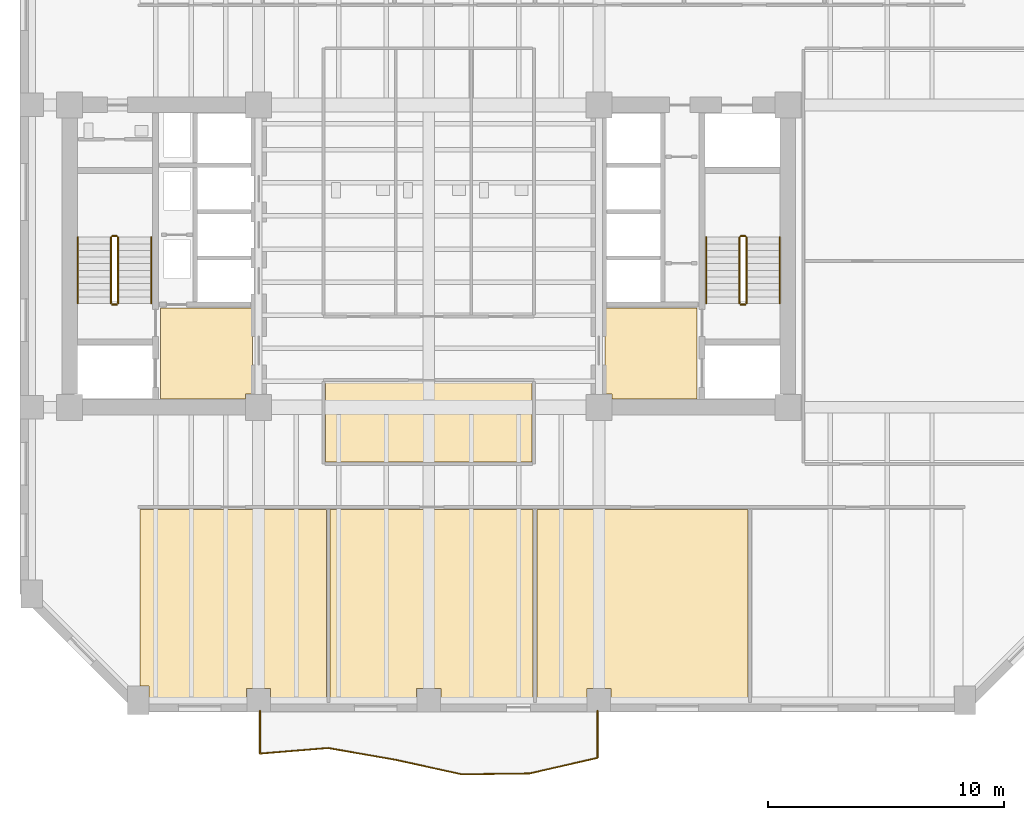
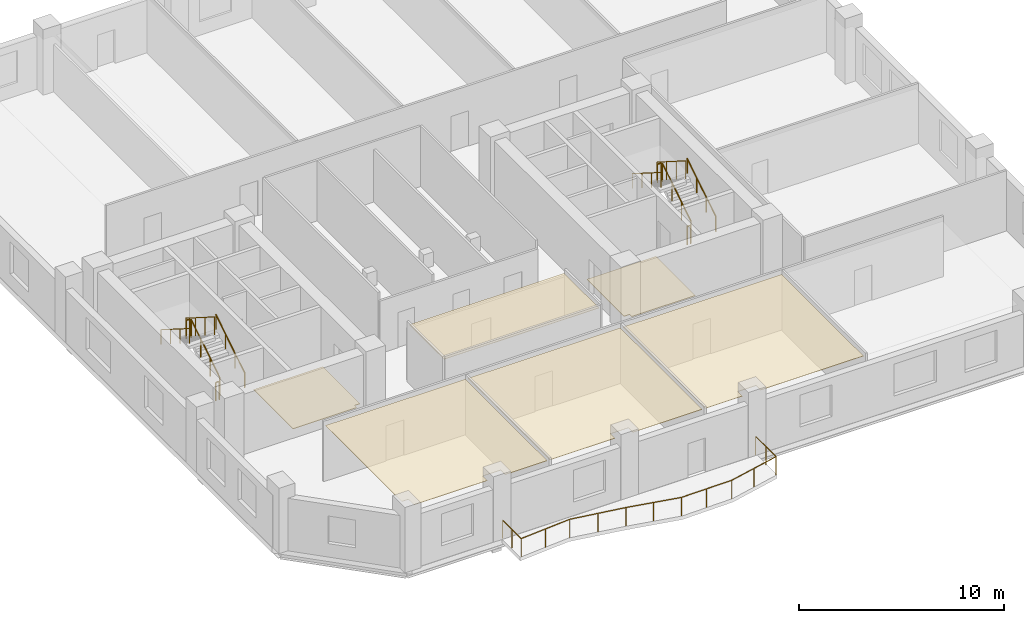
# One storey, part 6 of 8: 13 railings, 6 coverings.
"""IFC4 building model written with IfcOpenShell, lengths in metres."""

from ifc_helpers import new_model, si_unit, direction, frame, origin, origin_2d, place, context, subcontext, project, spatial, polyline, circle, outline, extrude, material, layer, layer_set, type_object, element, save


model = new_model("IFC4")

# Units and contexts
model_context = context("Model", 3, precision=1e-05, world=origin(), true_north=direction((0.0, 1.0)))
body_context = subcontext(model_context, "Body", "Model", "MODEL_VIEW")
ifc_project = project(units=[si_unit("LENGTHUNIT", "METRE"), si_unit("AREAUNIT", "SQUARE_METRE"), si_unit("VOLUMEUNIT", "CUBIC_METRE"), si_unit("PLANEANGLEUNIT", "RADIAN"), si_unit("MASSUNIT", "GRAM", prefix="KILO")], contexts=[model_context])

# Site, building, storey
site_placement = place(None, origin())
site = spatial("IfcSite", under=ifc_project, at=site_placement, CompositionType="ELEMENT")
building_placement = place(site_placement, origin())
building = spatial("IfcBuilding", under=site, at=building_placement, Name="Kranthara Brick Stack", CompositionType="ELEMENT")
storey_placement = place(building_placement, frame((0.0, 0.0, 82.800048828125)))
storey = spatial("IfcBuildingStorey", under=building, at=storey_placement, Name="L20", CompositionType="ELEMENT", Elevation=82.800048828125)

# Coverings
ifc_material_1 = material(Name="Perforated mineral-fibre acoustic ceiling tile", Category="other")
ifc_layer_1 = layer(ifc_material_1, 0.02490234375)
ifc_layer_set_1 = layer_set([ifc_layer_1], Name="Perforated mineral-fibre acoustic ceiling tile")
covering_type_1 = type_object("IfcCoveringType", Name="COV-CEIL-ACOUSTIC", PredefinedType="CEILING", material=ifc_layer_set_1)
covering_1_placement = place(storey_placement, frame((0.0, 0.0, 3.329833984375)))
element("IfcCovering", 1, at=covering_1_placement, inside=storey, type_object=covering_type_1, Name="L20 L20 Central Executive Briefing Room Acoustic Ceiling", PredefinedType="CEILING", context=body_context, shape_type="SweptSolid", body=[
    extrude(outline(polyline([(32.3701171875, 18.47998046875), (32.3701171875, 21.8798828125), (23.6298828125, 21.8798828125), (23.6298828125, 18.47998046875), (32.3701171875, 18.47998046875)])), origin(), (0.0, 0.0, 1.0), 0.025146484375),
])
covering_2_placement = place(storey_placement, frame((0.0, 0.0, 3.329833984375)))
element("IfcCovering", 2, at=covering_2_placement, inside=storey, type_object=covering_type_1, Name="L20 L20 Meeting Room 1 Acoustic Ceiling", PredefinedType="CEILING", context=body_context, shape_type="SweptSolid", body=[
    extrude(outline(polyline([(23.669921875, 16.47998046875), (23.669921875, 8.469970703125), (21.31005859375, 8.469970703125), (21.31005859375, 8.909912109375), (20.2900390625, 8.909912109375), (20.2900390625, 8.469970703125), (16.159912109375, 8.469970703125), (16.159912109375, 9.010009765625), (15.780029296875, 9.010009765625), (15.780029296875, 16.47998046875), (23.669921875, 16.47998046875)])), origin(), (0.0, 0.0, 1.0), 0.025146484375),
])
covering_3_placement = place(storey_placement, frame((0.0, 0.0, 3.329833984375)))
element("IfcCovering", 3, at=covering_3_placement, inside=storey, type_object=covering_type_1, Name="L20 L20 Meeting Room 2 Acoustic Ceiling", PredefinedType="CEILING", context=body_context, shape_type="SweptSolid", body=[
    extrude(outline(polyline([(23.830078125, 8.469970703125), (23.830078125, 16.47998046875), (32.419921875, 16.47998046875), (32.419921875, 8.469970703125), (28.510009765625, 8.469970703125), (28.510009765625, 8.909912109375), (27.489990234375, 8.909912109375), (27.489990234375, 8.469970703125), (23.830078125, 8.469970703125)])), origin(), (0.0, 0.0, 1.0), 0.025146484375),
])
covering_4_placement = place(storey_placement, frame((0.0, 0.0, 3.329833984375)))
element("IfcCovering", 4, at=covering_4_placement, inside=storey, type_object=covering_type_1, Name="L20 L20 Boardroom 3 Acoustic Ceiling", PredefinedType="CEILING", context=body_context, shape_type="SweptSolid", body=[
    extrude(outline(polyline([(32.580078125, 8.469970703125), (32.580078125, 16.47998046875), (41.52001953125, 16.47998046875), (41.52001953125, 8.469970703125), (35.7099609375, 8.469970703125), (35.7099609375, 8.909912109375), (34.68994140625, 8.909912109375), (34.68994140625, 8.469970703125), (32.580078125, 8.469970703125)])), origin(), (0.0, 0.0, 1.0), 0.025146484375),
])
ifc_material_2 = material(Name="Honed terrazzo and porcelain floor finish", Category="stone")
ifc_layer_2 = layer(ifc_material_2, 0.030029296875)
ifc_layer_set_2 = layer_set([ifc_layer_2], Name="Honed terrazzo and porcelain floor finish")
covering_type_2 = type_object("IfcCoveringType", Name="COV-FLOR-STONE", PredefinedType="FLOORING", material=ifc_layer_set_2)
covering_5_placement = place(storey_placement, origin())
element("IfcCovering", 5, at=covering_5_placement, inside=storey, type_object=covering_type_2, Name="L20 Lift Lobby Stone Flooring", PredefinedType="FLOORING", context=body_context, shape_type="SweptSolid", body=[
    extrude(outline(polyline([(16.64990234375, 21.14990234375), (16.64990234375, 25.0), (20.550048828125, 25.0), (20.550048828125, 21.360107421875), (20.239990234375, 21.360107421875), (20.239990234375, 21.14990234375), (16.64990234375, 21.14990234375)])), origin(), (0.0, 0.0, 1.0), 0.030029296875),
])
covering_6_placement = place(storey_placement, origin())
element("IfcCovering", 6, at=covering_6_placement, inside=storey, type_object=covering_type_2, Name="L20 Lift Lobby Stone Flooring", PredefinedType="FLOORING", context=body_context, shape_type="SweptSolid", body=[
    extrude(outline(polyline([(35.449951171875, 25.0), (39.35009765625, 25.0), (39.35009765625, 21.14990234375), (35.760009765625, 21.14990234375), (35.760009765625, 21.360107421875), (35.449951171875, 21.360107421875), (35.449951171875, 25.0)])), origin(), (0.0, 0.0, 1.0), 0.030029296875),
])

# Railings
ifc_material_3 = material(Name="Bronze anodised aluminium and laminated glass balustrade", Category="aluminium")
railing_type_1 = type_object("IfcRailingType", Name="RL-BALC-1120", PredefinedType="BALUSTRADE", material=ifc_material_3)
railing_1_placement = place(storey_placement, frame((35.139892578125, 7.9599609375, 0.0)))
element("IfcRailing", 7, at=railing_1_placement, inside=storey, type_object=railing_type_1, Name="L20 South Rippling Balcony Balustrade", PredefinedType="BALUSTRADE", context=body_context, shape_type="SweptSolid", body=[
    extrude(circle(Radius=0.02392578125, at=origin_2d()), frame((0.0, 0.0, 1.09619140625), z_axis=(0.000122159784, -0.999999992538, 0.0), x_axis=(0.999999992538, 0.000122159784, 0.0)), (0.0, 0.0, 1.0), 1.99853515625),
    extrude(circle(Radius=0.02392578125, at=origin_2d()), frame((0.000244140625, -1.99853515625, 1.09619140625), z_axis=(-0.974766060219, -0.223228868753, 0.0), x_axis=(0.223228868753, -0.974766060219, 0.0)), (0.0, 0.0, 1.0), 2.952880859375),
    extrude(circle(Radius=0.02392578125, at=origin_2d()), frame((-2.878173828125, -2.65771484375, 1.09619140625), z_axis=(-0.999923904502, -0.012336336778, 0.0), x_axis=(0.012336336778, -0.999923904502, 0.0)), (0.0, 0.0, 1.0), 2.86962890625),
    extrude(circle(Radius=0.02392578125, at=origin_2d()), frame((-5.74755859375, -2.693115234375, 1.09619140625), z_axis=(-0.976733809286, 0.214455276916, 0.0), x_axis=(-0.214455276916, -0.976733809286, 0.0)), (0.0, 0.0, 1.0), 2.841552734375),
    extrude(circle(Radius=0.02392578125, at=origin_2d()), frame((-8.52294921875, -2.083740234375, 1.09619140625), z_axis=(-0.985004908418, 0.172526317971, 0.0), x_axis=(-0.172526317971, -0.985004908418, 0.0)), (0.0, 0.0, 1.0), 2.920654296875),
    extrude(circle(Radius=0.02392578125, at=origin_2d()), frame((-11.39990234375, -1.579833984375, 1.09619140625), z_axis=(-0.99664984819, -0.08178679663, 0.0), x_axis=(0.08178679663, -0.99664984819, 0.0)), (0.0, 0.0, 1.0), 2.8896484375),
    extrude(circle(Radius=0.02392578125, at=origin_2d()), frame((-14.27978515625, -1.816162109375, 1.09619140625), z_axis=(0.0, 1.0, 0.0), x_axis=(-1.0, 0.0, 0.0)), (0.0, 0.0, 1.0), 1.816162109375),
    extrude(circle(Radius=0.02099609375, at=origin_2d()), origin(), (0.0, 0.0, 1.0), 1.072021484375),
    extrude(circle(Radius=0.02099609375, at=origin_2d()), frame((0.0, -0.999267578125, 0.0)), (0.0, 0.0, 1.0), 1.072021484375),
    extrude(circle(Radius=0.02099609375, at=origin_2d()), frame((0.000244140625, -1.99853515625, 0.0)), (0.0, 0.0, 1.0), 1.072021484375),
    extrude(circle(Radius=0.02099609375, at=origin_2d()), frame((-1.43896484375, -2.328125, 0.0)), (0.0, 0.0, 1.0), 1.072021484375),
    extrude(circle(Radius=0.02099609375, at=origin_2d()), frame((-2.878173828125, -2.65771484375, 0.0)), (0.0, 0.0, 1.0), 1.072021484375),
    extrude(circle(Radius=0.02099609375, at=origin_2d()), frame((-4.31298828125, -2.67529296875, 0.0)), (0.0, 0.0, 1.0), 1.072021484375),
    extrude(circle(Radius=0.02099609375, at=origin_2d()), frame((-5.74755859375, -2.693115234375, 0.0)), (0.0, 0.0, 1.0), 1.072021484375),
    extrude(circle(Radius=0.02099609375, at=origin_2d()), frame((-7.13525390625, -2.388427734375, 0.0)), (0.0, 0.0, 1.0), 1.072021484375),
    extrude(circle(Radius=0.02099609375, at=origin_2d()), frame((-8.52294921875, -2.083740234375, 0.0)), (0.0, 0.0, 1.0), 1.072021484375),
    extrude(circle(Radius=0.02099609375, at=origin_2d()), frame((-9.96142578125, -1.831787109375, 0.0)), (0.0, 0.0, 1.0), 1.072021484375),
    extrude(circle(Radius=0.02099609375, at=origin_2d()), frame((-11.39990234375, -1.579833984375, 0.0)), (0.0, 0.0, 1.0), 1.072021484375),
    extrude(circle(Radius=0.02099609375, at=origin_2d()), frame((-12.83984375, -1.697998046875, 0.0)), (0.0, 0.0, 1.0), 1.072021484375),
    extrude(circle(Radius=0.02099609375, at=origin_2d()), frame((-14.27978515625, -1.816162109375, 0.0)), (0.0, 0.0, 1.0), 1.072021484375),
    extrude(circle(Radius=0.02099609375, at=origin_2d()), frame((-14.27978515625, -0.908203125, 0.0)), (0.0, 0.0, 1.0), 1.072021484375),
    extrude(circle(Radius=0.02099609375, at=origin_2d()), frame((-14.27978515625, 0.0, 0.0)), (0.0, 0.0, 1.0), 1.072021484375),
])
ifc_material_4 = material(Name="Painted galvanized steel stair guardrail", Category="steel")
railing_type_2 = type_object("IfcRailingType", Name="RL-STAIR-GUARD-1100", PredefinedType="GUARDRAIL", material=ifc_material_4)
railing_2_placement = place(storey_placement, frame((14.85009765625, 25.199951171875, 0.17724609375)))
element("IfcRailing", 8, at=railing_2_placement, inside=storey, type_object=railing_type_2, Name="L20 ST01 stair guard 1", PredefinedType="GUARDRAIL", context=body_context, shape_type="SweptSolid", body=[
    extrude(circle(Radius=0.02392578125, at=origin_2d()), frame((0.0, 0.0, 1.076171875), z_axis=(0.0, 0.844908973607, 0.534910110503), x_axis=(-1.0, 0.0, 0.0)), (0.0, 0.0, 1.0), 3.31396484375),
    extrude(circle(Radius=0.02099609375, at=origin_2d()), origin(), (0.0, 0.0, 1.0), 1.052001953125),
    extrude(circle(Radius=0.02099609375, at=origin_2d()), frame((0.0, 0.933349609375, 0.5908203125)), (0.0, 0.0, 1.0), 1.052001953125),
    extrude(circle(Radius=0.02099609375, at=origin_2d()), frame((0.0, 1.86669921875, 1.181884765625)), (0.0, 0.0, 1.0), 1.052001953125),
    extrude(circle(Radius=0.02099609375, at=origin_2d()), frame((0.0, 2.800048828125, 1.772705078125)), (0.0, 0.0, 1.0), 1.052001953125),
])
railing_3_placement = place(storey_placement, frame((14.800048828125, 28.050048828125, 1.949951171875)))
element("IfcRailing", 9, at=railing_3_placement, inside=storey, type_object=railing_type_2, Name="L20 ST01 stair guard 2", PredefinedType="GUARDRAIL", context=body_context, shape_type="SweptSolid", body=[
    extrude(circle(Radius=0.02392578125, at=origin_2d()), frame((0.0, 0.0, 1.076171875), z_axis=(-1.0, 0.0, 0.0), x_axis=(0.0, -1.0, 0.0)), (0.0, 0.0, 1.0), 0.199951171875),
    extrude(circle(Radius=0.02099609375, at=origin_2d()), origin(), (0.0, 0.0, 1.0), 1.052001953125),
    extrude(circle(Radius=0.02099609375, at=origin_2d()), frame((-0.199951171875, 0.0, 0.0)), (0.0, 0.0, 1.0), 1.052001953125),
])
railing_4_placement = place(storey_placement, frame((14.550048828125, 28.0, 2.127197265625)))
element("IfcRailing", 10, at=railing_4_placement, inside=storey, type_object=railing_type_2, Name="L20 ST01 stair guard 3", PredefinedType="GUARDRAIL", context=body_context, shape_type="SweptSolid", body=[
    extrude(circle(Radius=0.02392578125, at=origin_2d()), frame((0.0, 0.0, 1.076171875), z_axis=(0.0, -0.844908973607, 0.534910110503), x_axis=(1.0, 0.0, 0.0)), (0.0, 0.0, 1.0), 3.31396484375),
    extrude(circle(Radius=0.02099609375, at=origin_2d()), origin(), (0.0, 0.0, 1.0), 1.052001953125),
    extrude(circle(Radius=0.02099609375, at=origin_2d()), frame((0.0, -0.933349609375, 0.5908203125)), (0.0, 0.0, 1.0), 1.052001953125),
    extrude(circle(Radius=0.02099609375, at=origin_2d()), frame((0.0, -1.86669921875, 1.181884765625)), (0.0, 0.0, 1.0), 1.052001953125),
    extrude(circle(Radius=0.02099609375, at=origin_2d()), frame((0.0, -2.800048828125, 1.772705078125)), (0.0, 0.0, 1.0), 1.052001953125),
])
railing_5_placement = place(storey_placement, frame((14.800048828125, 25.14990234375, 0.0)))
element("IfcRailing", 11, at=railing_5_placement, inside=storey, type_object=railing_type_2, Name="L20 ST01 stair guard 4", PredefinedType="GUARDRAIL", context=body_context, shape_type="SweptSolid", body=[
    extrude(circle(Radius=0.02392578125, at=origin_2d()), frame((0.0, 0.0, 1.076171875), z_axis=(-1.0, 0.0, 0.0), x_axis=(0.0, -1.0, 0.0)), (0.0, 0.0, 1.0), 0.199951171875),
    extrude(circle(Radius=0.02099609375, at=origin_2d()), origin(), (0.0, 0.0, 1.0), 1.052001953125),
    extrude(circle(Radius=0.02099609375, at=origin_2d()), frame((-0.199951171875, 0.0, 0.0)), (0.0, 0.0, 1.0), 1.052001953125),
])
railing_6_placement = place(storey_placement, frame((41.449951171875, 25.199951171875, 0.17724609375)))
element("IfcRailing", 12, at=railing_6_placement, inside=storey, type_object=railing_type_2, Name="L20 ST02 stair guard 1", PredefinedType="GUARDRAIL", context=body_context, shape_type="SweptSolid", body=[
    extrude(circle(Radius=0.02392578125, at=origin_2d()), frame((0.0, 0.0, 1.076171875), z_axis=(0.0, 0.844908973607, 0.534910110503), x_axis=(-1.0, 0.0, 0.0)), (0.0, 0.0, 1.0), 3.31396484375),
    extrude(circle(Radius=0.02099609375, at=origin_2d()), origin(), (0.0, 0.0, 1.0), 1.052001953125),
    extrude(circle(Radius=0.02099609375, at=origin_2d()), frame((0.0, 0.933349609375, 0.5908203125)), (0.0, 0.0, 1.0), 1.052001953125),
    extrude(circle(Radius=0.02099609375, at=origin_2d()), frame((0.0, 1.86669921875, 1.181884765625)), (0.0, 0.0, 1.0), 1.052001953125),
    extrude(circle(Radius=0.02099609375, at=origin_2d()), frame((0.0, 2.800048828125, 1.772705078125)), (0.0, 0.0, 1.0), 1.052001953125),
])
railing_7_placement = place(storey_placement, frame((41.39990234375, 28.050048828125, 1.949951171875)))
element("IfcRailing", 13, at=railing_7_placement, inside=storey, type_object=railing_type_2, Name="L20 ST02 stair guard 2", PredefinedType="GUARDRAIL", context=body_context, shape_type="SweptSolid", body=[
    extrude(circle(Radius=0.02392578125, at=origin_2d()), frame((0.0, 0.0, 1.076171875), z_axis=(-1.0, 0.0, 0.0), x_axis=(0.0, -1.0, 0.0)), (0.0, 0.0, 1.0), 0.199951171875),
    extrude(circle(Radius=0.02099609375, at=origin_2d()), origin(), (0.0, 0.0, 1.0), 1.052001953125),
    extrude(circle(Radius=0.02099609375, at=origin_2d()), frame((-0.199951171875, 0.0, 0.0)), (0.0, 0.0, 1.0), 1.052001953125),
])
railing_8_placement = place(storey_placement, frame((41.14990234375, 28.0, 2.127197265625)))
element("IfcRailing", 14, at=railing_8_placement, inside=storey, type_object=railing_type_2, Name="L20 ST02 stair guard 3", PredefinedType="GUARDRAIL", context=body_context, shape_type="SweptSolid", body=[
    extrude(circle(Radius=0.02392578125, at=origin_2d()), frame((0.0, 0.0, 1.076171875), z_axis=(0.0, -0.844908973607, 0.534910110503), x_axis=(1.0, 0.0, 0.0)), (0.0, 0.0, 1.0), 3.31396484375),
    extrude(circle(Radius=0.02099609375, at=origin_2d()), origin(), (0.0, 0.0, 1.0), 1.052001953125),
    extrude(circle(Radius=0.02099609375, at=origin_2d()), frame((0.0, -0.933349609375, 0.5908203125)), (0.0, 0.0, 1.0), 1.052001953125),
    extrude(circle(Radius=0.02099609375, at=origin_2d()), frame((0.0, -1.86669921875, 1.181884765625)), (0.0, 0.0, 1.0), 1.052001953125),
    extrude(circle(Radius=0.02099609375, at=origin_2d()), frame((0.0, -2.800048828125, 1.772705078125)), (0.0, 0.0, 1.0), 1.052001953125),
])
railing_9_placement = place(storey_placement, frame((41.39990234375, 25.14990234375, 0.0)))
element("IfcRailing", 15, at=railing_9_placement, inside=storey, type_object=railing_type_2, Name="L20 ST02 stair guard 4", PredefinedType="GUARDRAIL", context=body_context, shape_type="SweptSolid", body=[
    extrude(circle(Radius=0.02392578125, at=origin_2d()), frame((0.0, 0.0, 1.076171875), z_axis=(-1.0, 0.0, 0.0), x_axis=(0.0, -1.0, 0.0)), (0.0, 0.0, 1.0), 0.199951171875),
    extrude(circle(Radius=0.02099609375, at=origin_2d()), origin(), (0.0, 0.0, 1.0), 1.052001953125),
    extrude(circle(Radius=0.02099609375, at=origin_2d()), frame((-0.199951171875, 0.0, 0.0)), (0.0, 0.0, 1.0), 1.052001953125),
])
ifc_material_5 = material(Name="Brushed stainless steel tubular handrail", Category="steel")
railing_type_3 = type_object("IfcRailingType", Name="RL-STAIR-HAND-900", PredefinedType="HANDRAIL", material=ifc_material_5)
railing_10_placement = place(storey_placement, frame((16.25, 25.199951171875, 0.17724609375)))
element("IfcRailing", 16, at=railing_10_placement, inside=storey, type_object=railing_type_3, Name="L20 ST01 stair handrail 1", PredefinedType="HANDRAIL", context=body_context, shape_type="SweptSolid", body=[
    extrude(circle(Radius=0.02392578125, at=origin_2d()), frame((0.0, 0.0, 0.8759765625), z_axis=(0.0, 0.844908973607, 0.534910110503), x_axis=(-1.0, 0.0, 0.0)), (0.0, 0.0, 1.0), 3.31396484375),
    extrude(circle(Radius=0.02099609375, at=origin_2d()), origin(), (0.0, 0.0, 1.0), 0.851806640625),
    extrude(circle(Radius=0.02099609375, at=origin_2d()), frame((0.0, 0.933349609375, 0.5908203125)), (0.0, 0.0, 1.0), 0.851806640625),
    extrude(circle(Radius=0.02099609375, at=origin_2d()), frame((0.0, 1.86669921875, 1.181884765625)), (0.0, 0.0, 1.0), 0.851806640625),
    extrude(circle(Radius=0.02099609375, at=origin_2d()), frame((0.0, 2.800048828125, 1.772705078125)), (0.0, 0.0, 1.0), 0.851806640625),
])
railing_11_placement = place(storey_placement, frame((13.14990234375, 28.0, 2.127197265625)))
element("IfcRailing", 17, at=railing_11_placement, inside=storey, type_object=railing_type_3, Name="L20 ST01 stair handrail 2", PredefinedType="HANDRAIL", context=body_context, shape_type="SweptSolid", body=[
    extrude(circle(Radius=0.02392578125, at=origin_2d()), frame((0.0, 0.0, 0.8759765625), z_axis=(0.0, -0.844908973607, 0.534910110503), x_axis=(1.0, 0.0, 0.0)), (0.0, 0.0, 1.0), 3.31396484375),
    extrude(circle(Radius=0.02099609375, at=origin_2d()), origin(), (0.0, 0.0, 1.0), 0.851806640625),
    extrude(circle(Radius=0.02099609375, at=origin_2d()), frame((0.0, -0.933349609375, 0.5908203125)), (0.0, 0.0, 1.0), 0.851806640625),
    extrude(circle(Radius=0.02099609375, at=origin_2d()), frame((0.0, -1.86669921875, 1.181884765625)), (0.0, 0.0, 1.0), 0.851806640625),
    extrude(circle(Radius=0.02099609375, at=origin_2d()), frame((0.0, -2.800048828125, 1.772705078125)), (0.0, 0.0, 1.0), 0.851806640625),
])
railing_12_placement = place(storey_placement, frame((42.85009765625, 25.199951171875, 0.17724609375)))
element("IfcRailing", 18, at=railing_12_placement, inside=storey, type_object=railing_type_3, Name="L20 ST02 stair handrail 1", PredefinedType="HANDRAIL", context=body_context, shape_type="SweptSolid", body=[
    extrude(circle(Radius=0.02392578125, at=origin_2d()), frame((0.0, 0.0, 0.8759765625), z_axis=(0.0, 0.844908973607, 0.534910110503), x_axis=(-1.0, 0.0, 0.0)), (0.0, 0.0, 1.0), 3.31396484375),
    extrude(circle(Radius=0.02099609375, at=origin_2d()), origin(), (0.0, 0.0, 1.0), 0.851806640625),
    extrude(circle(Radius=0.02099609375, at=origin_2d()), frame((0.0, 0.933349609375, 0.5908203125)), (0.0, 0.0, 1.0), 0.851806640625),
    extrude(circle(Radius=0.02099609375, at=origin_2d()), frame((0.0, 1.86669921875, 1.181884765625)), (0.0, 0.0, 1.0), 0.851806640625),
    extrude(circle(Radius=0.02099609375, at=origin_2d()), frame((0.0, 2.800048828125, 1.772705078125)), (0.0, 0.0, 1.0), 0.851806640625),
])
railing_13_placement = place(storey_placement, frame((39.75, 28.0, 2.127197265625)))
element("IfcRailing", 19, at=railing_13_placement, inside=storey, type_object=railing_type_3, Name="L20 ST02 stair handrail 2", PredefinedType="HANDRAIL", context=body_context, shape_type="SweptSolid", body=[
    extrude(circle(Radius=0.02392578125, at=origin_2d()), frame((0.0, 0.0, 0.8759765625), z_axis=(0.0, -0.844908973607, 0.534910110503), x_axis=(1.0, 0.0, 0.0)), (0.0, 0.0, 1.0), 3.31396484375),
    extrude(circle(Radius=0.02099609375, at=origin_2d()), origin(), (0.0, 0.0, 1.0), 0.851806640625),
    extrude(circle(Radius=0.02099609375, at=origin_2d()), frame((0.0, -0.933349609375, 0.5908203125)), (0.0, 0.0, 1.0), 0.851806640625),
    extrude(circle(Radius=0.02099609375, at=origin_2d()), frame((0.0, -1.86669921875, 1.181884765625)), (0.0, 0.0, 1.0), 0.851806640625),
    extrude(circle(Radius=0.02099609375, at=origin_2d()), frame((0.0, -2.800048828125, 1.772705078125)), (0.0, 0.0, 1.0), 0.851806640625),
])

save(model, "model.ifc")
